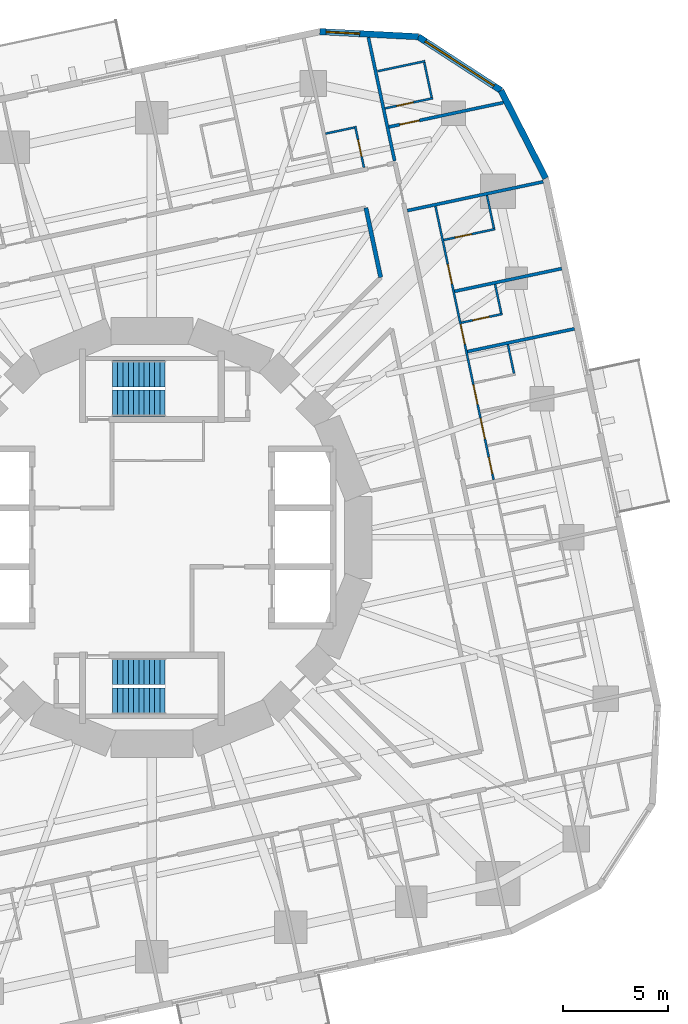
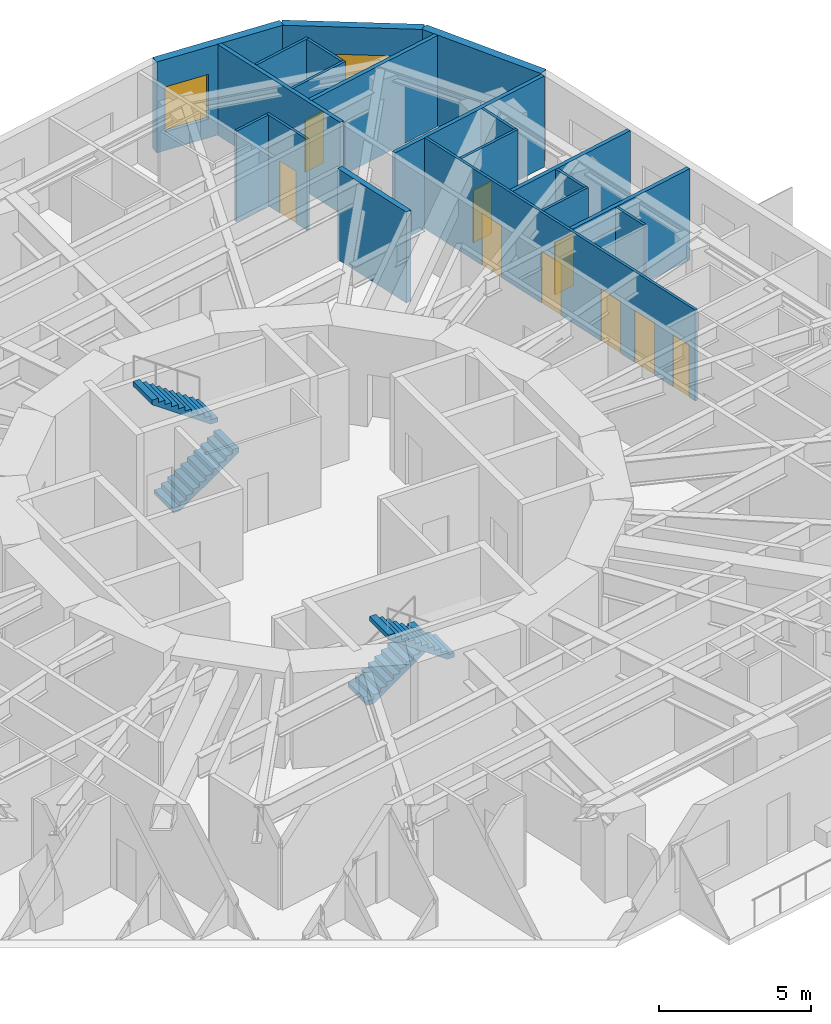
# One storey, part 11 of 13: 20 walls, 10 doors, 4 stair flights, 2 windows, 12 openings, 2 elements without a shape of their own.
"""IFC4 building model written with IfcOpenShell, lengths in metres."""

from ifc_helpers import new_model, si_unit, direction, frame, frame_2d, origin, place, context, subcontext, project, spatial, polyline, rectangle, outline, extrude, material, layer, layer_set, type_object, element, fill, aggregate, save


model = new_model("IFC4")

# Units and contexts
model_context = context("Model", 3, precision=1e-05, world=origin(), true_north=direction((0.0, 1.0)))
body_context = subcontext(model_context, "Body", "Model", "MODEL_VIEW")
ifc_project = project(units=[si_unit("LENGTHUNIT", "METRE"), si_unit("AREAUNIT", "SQUARE_METRE"), si_unit("VOLUMEUNIT", "CUBIC_METRE"), si_unit("PLANEANGLEUNIT", "RADIAN"), si_unit("MASSUNIT", "GRAM", prefix="KILO")], contexts=[model_context])

# Site, building, storey
site_placement = place(None, origin())
site = spatial("IfcSite", under=ifc_project, at=site_placement, CompositionType="ELEMENT")
building_placement = place(site_placement, origin())
building = spatial("IfcBuilding", under=site, at=building_placement, Name="Nakasero Lantern House", CompositionType="ELEMENT")
storey_placement = place(building_placement, frame((0.0, 0.0, 131.949951171875)))
storey = spatial("IfcBuildingStorey", under=building, at=storey_placement, Name="L32", CompositionType="ELEMENT", Elevation=131.949951171875)

# Wall, openings, doors
ifc_material_1 = material(Name="Blockwork", Category="masonry")
ifc_layer_1 = layer(ifc_material_1, 0.10009765625)
ifc_layer_set_1 = layer_set([ifc_layer_1], Name="Cluster hall wall 100")
wall_type_1 = type_object("IfcWallType", Name="Cluster hall wall 100", PredefinedType="PARTITIONING", material=ifc_layer_set_1)
wall_1_placement = place(storey_placement, frame((16.236328125, 2.734375, 0.0), z_axis=(0.0, 0.0, 1.0), x_axis=(-0.207922912411, 0.978145215443, 0.0)))
wall_1 = element("IfcWall", 1, at=wall_1_placement, inside=storey, type_object=wall_type_1, Name="Cluster hall wall L32 HW0-1", PredefinedType="PARTITIONING", context=body_context, shape_type="SweptSolid", body=[
    extrude(rectangle(XDim=13.28955078125, YDim=0.10009765625, at=frame_2d((6.644775390625, 0.0))), origin(), (0.0, 0.0, 1.0), 3.650146484375),
])
opening_1_placement = place(wall_1_placement, frame((1.99365234375, 0.0, 0.0)))
opening_1 = element("IfcOpeningElement", 2, at=opening_1_placement, cuts=wall_1, Name="Opening D03", PredefinedType="OPENING", context=body_context, shape_type="SweptSolid", body=[
    extrude(rectangle(XDim=1.0, YDim=2.10009765625, at=frame_2d((0.5, 1.050048828125))), frame((0.0, 0.070068359375, 0.0), z_axis=(0.0, -1.0, 0.0), x_axis=(1.0, 0.0, 0.0)), (0.0, 0.0, 1.0), 0.14013671875),
])
opening_2_placement = place(wall_1_placement, frame((0.300048828125, 0.0, 0.0)))
opening_2 = element("IfcOpeningElement", 3, at=opening_2_placement, cuts=wall_1, Name="Opening D02", PredefinedType="OPENING", context=body_context, shape_type="SweptSolid", body=[
    extrude(rectangle(XDim=0.800048828125, YDim=2.10009765625, at=frame_2d((0.39990234375, 1.050048828125))), frame((0.0, 0.070068359375, 0.0), z_axis=(0.0, -1.0, 0.0), x_axis=(1.0, 0.0, 0.0)), (0.0, 0.0, 1.0), 0.14013671875),
])
opening_3_placement = place(wall_1_placement, frame((3.668701171875, 0.0, 0.0)))
opening_3 = element("IfcOpeningElement", 4, at=opening_3_placement, cuts=wall_1, Name="Opening D01", PredefinedType="OPENING", context=body_context, shape_type="SweptSolid", body=[
    extrude(rectangle(XDim=0.949951171875, YDim=2.10009765625, at=frame_2d((0.47509765625, 1.050048828125))), frame((0.0, 0.070068359375, 0.0), z_axis=(0.0, -1.0, 0.0), x_axis=(1.0, 0.0, 0.0)), (0.0, 0.0, 1.0), 0.14013671875),
])
opening_4_placement = place(wall_1_placement, frame((6.594970703125, 0.0, 0.0)))
opening_4 = element("IfcOpeningElement", 5, at=opening_4_placement, cuts=wall_1, Name="Opening D01", PredefinedType="OPENING", context=body_context, shape_type="SweptSolid", body=[
    extrude(rectangle(XDim=0.949951171875, YDim=2.10009765625, at=frame_2d((0.47509765625, 1.050048828125))), frame((0.0, 0.070068359375, 0.0), z_axis=(0.0, -1.0, 0.0), x_axis=(1.0, 0.0, 0.0)), (0.0, 0.0, 1.0), 0.14013671875),
])
opening_5_placement = place(wall_1_placement, frame((9.521484375, 0.0, 0.0)))
opening_5 = element("IfcOpeningElement", 6, at=opening_5_placement, cuts=wall_1, Name="Opening D01", PredefinedType="OPENING", context=body_context, shape_type="SweptSolid", body=[
    extrude(rectangle(XDim=0.949951171875, YDim=2.10009765625, at=frame_2d((0.47509765625, 1.050048828125))), frame((0.0, 0.070068359375, 0.0), z_axis=(0.0, -1.0, 0.0), x_axis=(1.0, 0.0, 0.0)), (0.0, 0.0, 1.0), 0.14013671875),
])
ifc_material_2 = material(Name="Timber C24", Category="wood")
door_type_1 = type_object("IfcDoorType", Name="Bedroom door FD30S 950", OperationType="SINGLE_SWING_LEFT", PredefinedType="DOOR", material=ifc_material_2)
door_1_placement = place(opening_3_placement, origin())
door_1 = element("IfcDoor", 7, at=door_1_placement, inside=storey, type_object=door_type_1, Name="Door L32 D0-05", OperationType="SINGLE_SWING_LEFT", OverallHeight=2.10009765625, OverallWidth=0.949951171875, PredefinedType="DOOR", context=body_context, shape_type="SweptSolid", body=[
    extrude(rectangle(XDim=0.949951171875, YDim=2.10009765625, at=frame_2d((0.47509765625, 1.050048828125))), frame((0.0, 0.02490234375, 0.0), z_axis=(0.0, -1.0, 0.0), x_axis=(1.0, 0.0, 0.0)), (0.0, 0.0, 1.0), 0.050048828125),
])
fill(opening_3, door_1)
door_2_placement = place(opening_4_placement, origin())
door_2 = element("IfcDoor", 8, at=door_2_placement, inside=storey, type_object=door_type_1, Name="Door L32 D0-06", OperationType="SINGLE_SWING_RIGHT", OverallHeight=2.10009765625, OverallWidth=0.949951171875, PredefinedType="DOOR", context=body_context, shape_type="SweptSolid", body=[
    extrude(rectangle(XDim=0.949951171875, YDim=2.10009765625, at=frame_2d((0.47509765625, 1.050048828125))), frame((0.0, 0.02490234375, 0.0), z_axis=(0.0, -1.0, 0.0), x_axis=(1.0, 0.0, 0.0)), (0.0, 0.0, 1.0), 0.050048828125),
])
fill(opening_4, door_2)
door_3_placement = place(opening_5_placement, origin())
door_3 = element("IfcDoor", 9, at=door_3_placement, inside=storey, type_object=door_type_1, Name="Door L32 D0-07", OperationType="SINGLE_SWING_RIGHT", OverallHeight=2.10009765625, OverallWidth=0.949951171875, PredefinedType="DOOR", context=body_context, shape_type="SweptSolid", body=[
    extrude(rectangle(XDim=0.949951171875, YDim=2.10009765625, at=frame_2d((0.47509765625, 1.050048828125))), frame((0.0, 0.02490234375, 0.0), z_axis=(0.0, -1.0, 0.0), x_axis=(1.0, 0.0, 0.0)), (0.0, 0.0, 1.0), 0.050048828125),
])
fill(opening_5, door_3)
ifc_material_3 = material(Name="Timber C24", Category="wood")
door_type_2 = type_object("IfcDoorType", Name="En-suite door 800", OperationType="SINGLE_SWING_RIGHT", PredefinedType="DOOR", material=ifc_material_3)
door_4_placement = place(opening_2_placement, origin())
door_4 = element("IfcDoor", 10, at=door_4_placement, inside=storey, type_object=door_type_2, Name="Door L32 DSH0-1", OperationType="SINGLE_SWING_LEFT", OverallHeight=2.10009765625, OverallWidth=0.800048828125, PredefinedType="DOOR", context=body_context, shape_type="SweptSolid", body=[
    extrude(rectangle(XDim=0.800048828125, YDim=2.10009765625, at=frame_2d((0.39990234375, 1.050048828125))), frame((0.0, 0.02490234375, 0.0), z_axis=(0.0, -1.0, 0.0), x_axis=(1.0, 0.0, 0.0)), (0.0, 0.0, 1.0), 0.050048828125),
])
fill(opening_2, door_4)
ifc_material_4 = material(Name="Timber C24", Category="wood")
door_type_3 = type_object("IfcDoorType", Name="Lounge door FD30S 1000", OperationType="SINGLE_SWING_LEFT", PredefinedType="DOOR", material=ifc_material_4)
door_5_placement = place(opening_1_placement, origin())
door_5 = element("IfcDoor", 11, at=door_5_placement, inside=storey, type_object=door_type_3, Name="Door L32 DH0-1", OperationType="SINGLE_SWING_LEFT", OverallHeight=2.10009765625, OverallWidth=1.0, PredefinedType="DOOR", context=body_context, shape_type="SweptSolid", body=[
    extrude(rectangle(XDim=1.0, YDim=2.10009765625, at=frame_2d((0.5, 1.050048828125))), frame((0.0, 0.02490234375, 0.0), z_axis=(0.0, -1.0, 0.0), x_axis=(1.0, 0.0, 0.0)), (0.0, 0.0, 1.0), 0.050048828125),
])
fill(opening_1, door_5)

# Walls
ifc_material_5 = material(Name="Blockwork", Category="masonry")
ifc_layer_2 = layer(ifc_material_5, 0.199951171875)
ifc_layer_set_2 = layer_set([ifc_layer_2], Name="Corridor wall 200")
wall_type_2 = type_object("IfcWallType", Name="Corridor wall 200", PredefinedType="PARTITIONING", material=ifc_layer_set_2)
wall_2_placement = place(storey_placement, frame((10.868896484375, 12.35400390625, 0.0), z_axis=(0.0, 0.0, 1.0), x_axis=(-0.207923627178, 0.978145063506, 0.0)))
element("IfcWall", 12, at=wall_2_placement, inside=storey, type_object=wall_type_2, Name="Corridor wall L32 IW0-1", PredefinedType="PARTITIONING", context=body_context, shape_type="SweptSolid", body=[
    extrude(rectangle(XDim=3.375732421875, YDim=0.199951171875, at=frame_2d((1.68798828125, 0.0))), origin(), (0.0, 0.0, 1.0), 3.650146484375),
])
ifc_material_6 = material(Name="Blockwork", Category="masonry")
ifc_layer_3 = layer(ifc_material_6, 0.10009765625)
ifc_layer_set_3 = layer_set([ifc_layer_3], Name="En-suite wall 100")
wall_type_3 = type_object("IfcWallType", Name="En-suite wall 100", PredefinedType="PARTITIONING", material=ifc_layer_set_3)
wall_3_placement = place(storey_placement, frame((17.2060546875, 7.79150390625, 0.0), z_axis=(0.0, 0.0, 1.0), x_axis=(-0.207873355681, 0.978155748334, 0.0)))
element("IfcWall", 13, at=wall_3_placement, inside=storey, type_object=wall_type_3, Name="En-suite wall L32 EE0-05", PredefinedType="PARTITIONING", context=body_context, shape_type="SweptSolid", body=[
    extrude(rectangle(XDim=1.39990234375, YDim=0.10009765625, at=frame_2d((0.699951171875, 0.0))), origin(), (0.0, 0.0, 1.0), 3.650146484375),
])

# Wall, opening, door
wall_4_placement = place(storey_placement, frame((14.70068359375, 10.19970703125, 0.0), z_axis=(0.0, 0.0, 1.0), x_axis=(0.978152955943, 0.207886494942, 0.0)))
wall_4 = element("IfcWall", 14, at=wall_4_placement, inside=storey, type_object=wall_type_3, Name="En-suite wall L32 ES0-06", PredefinedType="PARTITIONING", context=body_context, shape_type="SweptSolid", body=[
    extrude(rectangle(XDim=2.0, YDim=0.10009765625, at=frame_2d((1.0, 0.0))), origin(), (0.0, 0.0, 1.0), 3.650146484375),
])
opening_6_placement = place(wall_4_placement, frame((0.550048828125, 0.0, 0.0)))
opening_6 = element("IfcOpeningElement", 15, at=opening_6_placement, cuts=wall_4, Name="Opening D02", PredefinedType="OPENING", context=body_context, shape_type="SweptSolid", body=[
    extrude(rectangle(XDim=0.800048828125, YDim=2.10009765625, at=frame_2d((0.39990234375, 1.050048828125))), frame((0.0, 0.070068359375, 0.0), z_axis=(0.0, -1.0, 0.0), x_axis=(1.0, 0.0, 0.0)), (0.0, 0.0, 1.0), 0.14013671875),
])
door_6_placement = place(opening_6_placement, origin())
door_6 = element("IfcDoor", 16, at=door_6_placement, inside=storey, type_object=door_type_2, Name="Door L32 DE0-06", OperationType="SINGLE_SWING_LEFT", OverallHeight=2.10009765625, OverallWidth=0.800048828125, PredefinedType="DOOR", context=body_context, shape_type="SweptSolid", body=[
    extrude(rectangle(XDim=0.800048828125, YDim=2.10009765625, at=frame_2d((0.39990234375, 1.050048828125))), frame((0.0, 0.02490234375, 0.0), z_axis=(0.0, -1.0, 0.0), x_axis=(1.0, 0.0, 0.0)), (0.0, 0.0, 1.0), 0.050048828125),
])
fill(opening_6, door_6)

# Wall
wall_5_placement = place(storey_placement, frame((16.59765625, 10.654052734375, 0.0), z_axis=(0.0, 0.0, 1.0), x_axis=(-0.207873355681, 0.978155748334, 0.0)))
element("IfcWall", 17, at=wall_5_placement, inside=storey, type_object=wall_type_3, Name="En-suite wall L32 EE0-06", PredefinedType="PARTITIONING", context=body_context, shape_type="SweptSolid", body=[
    extrude(rectangle(XDim=1.39990234375, YDim=0.10009765625, at=frame_2d((0.699951171875, 0.0))), origin(), (0.0, 0.0, 1.0), 3.650146484375),
])

# Wall, opening, door
wall_6_placement = place(storey_placement, frame((13.865234375, 14.1298828125, 0.0), z_axis=(0.0, 0.0, 1.0), x_axis=(0.978146935828, 0.207914818928, 0.0)))
wall_6 = element("IfcWall", 18, at=wall_6_placement, inside=storey, type_object=wall_type_3, Name="En-suite wall L32 ES0-07", PredefinedType="PARTITIONING", context=body_context, shape_type="SweptSolid", body=[
    extrude(rectangle(XDim=2.5, YDim=0.10009765625, at=frame_2d((1.25, 0.0))), origin(), (0.0, 0.0, 1.0), 3.650146484375),
])
opening_7_placement = place(wall_6_placement, frame((0.550048828125, 0.0, 0.0)))
opening_7 = element("IfcOpeningElement", 19, at=opening_7_placement, cuts=wall_6, Name="Opening D02", PredefinedType="OPENING", context=body_context, shape_type="SweptSolid", body=[
    extrude(rectangle(XDim=0.800048828125, YDim=2.10009765625, at=frame_2d((0.39990234375, 1.050048828125))), frame((0.0, 0.070068359375, 0.0), z_axis=(0.0, -1.0, 0.0), x_axis=(1.0, 0.0, 0.0)), (0.0, 0.0, 1.0), 0.14013671875),
])
door_7_placement = place(opening_7_placement, origin())
door_7 = element("IfcDoor", 20, at=door_7_placement, inside=storey, type_object=door_type_2, Name="Door L32 DE0-07", OperationType="SINGLE_SWING_LEFT", OverallHeight=2.10009765625, OverallWidth=0.800048828125, PredefinedType="DOOR", context=body_context, shape_type="SweptSolid", body=[
    extrude(rectangle(XDim=0.800048828125, YDim=2.10009765625, at=frame_2d((0.39990234375, 1.050048828125))), frame((0.0, 0.02490234375, 0.0), z_axis=(0.0, -1.0, 0.0), x_axis=(1.0, 0.0, 0.0)), (0.0, 0.0, 1.0), 0.050048828125),
])
fill(opening_7, door_7)

# Wall
wall_7_placement = place(storey_placement, frame((16.251220703125, 14.688232421875, 0.0), z_axis=(0.0, 0.0, 1.0), x_axis=(-0.207840504985, 0.978162729042, 0.0)))
element("IfcWall", 21, at=wall_7_placement, inside=storey, type_object=wall_type_3, Name="En-suite wall L32 EE0-07", PredefinedType="PARTITIONING", context=body_context, shape_type="SweptSolid", body=[
    extrude(rectangle(XDim=1.599853515625, YDim=0.10009765625, at=frame_2d((0.7998046875, 0.0))), origin(), (0.0, 0.0, 1.0), 3.650146484375),
])

# Wall, opening, door
wall_8_placement = place(storey_placement, frame((11.069091796875, 20.382568359375, 0.0), z_axis=(0.0, 0.0, 1.0), x_axis=(0.978136257952, 0.207965047255, 0.0)))
wall_8 = element("IfcWall", 22, at=wall_8_placement, inside=storey, type_object=wall_type_3, Name="En-suite wall L32 ES0-08", PredefinedType="PARTITIONING", context=body_context, shape_type="SweptSolid", body=[
    extrude(rectangle(XDim=2.3349609375, YDim=0.10009765625, at=frame_2d((1.16748046875, 0.0))), origin(), (0.0, 0.0, 1.0), 3.650146484375),
])
opening_8_placement = place(wall_8_placement, frame((0.5849609375, 0.0, 0.0)))
opening_8 = element("IfcOpeningElement", 23, at=opening_8_placement, cuts=wall_8, Name="Opening D02", PredefinedType="OPENING", context=body_context, shape_type="SweptSolid", body=[
    extrude(rectangle(XDim=0.800048828125, YDim=2.10009765625, at=frame_2d((0.39990234375, 1.050048828125))), frame((0.0, 0.070068359375, 0.0), z_axis=(0.0, -1.0, 0.0), x_axis=(1.0, 0.0, 0.0)), (0.0, 0.0, 1.0), 0.14013671875),
])
door_8_placement = place(opening_8_placement, origin())
door_8 = element("IfcDoor", 24, at=door_8_placement, inside=storey, type_object=door_type_2, Name="Door L32 DE0-08", OperationType="SINGLE_SWING_LEFT", OverallHeight=2.10009765625, OverallWidth=0.800048828125, PredefinedType="DOOR", context=body_context, shape_type="SweptSolid", body=[
    extrude(rectangle(XDim=0.800048828125, YDim=2.10009765625, at=frame_2d((0.39990234375, 1.050048828125))), frame((0.0, 0.02490234375, 0.0), z_axis=(0.0, -1.0, 0.0), x_axis=(1.0, 0.0, 0.0)), (0.0, 0.0, 1.0), 0.050048828125),
])
fill(opening_8, door_8)

# Walls
wall_9_placement = place(storey_placement, frame((13.293701171875, 20.906494140625, 0.0), z_axis=(0.0, 0.0, 1.0), x_axis=(-0.207812379357, 0.978168704767, 0.0)))
element("IfcWall", 25, at=wall_9_placement, inside=storey, type_object=wall_type_3, Name="En-suite wall L32 EE0-08", PredefinedType="PARTITIONING", context=body_context, shape_type="SweptSolid", body=[
    extrude(rectangle(XDim=1.699951171875, YDim=0.10009765625, at=frame_2d((0.85009765625, 0.0))), origin(), (0.0, 0.0, 1.0), 3.650146484375),
])
wall_10_placement = place(storey_placement, frame((10.72900390625, 22.150634765625, 0.0), z_axis=(0.0, 0.0, 1.0), x_axis=(0.978162897375, 0.207839712757, 0.0)))
element("IfcWall", 26, at=wall_10_placement, inside=storey, type_object=wall_type_3, Name="En-suite wall L32 EV0-08", PredefinedType="PARTITIONING", context=body_context, shape_type="SweptSolid", body=[
    extrude(rectangle(XDim=2.300048828125, YDim=0.10009765625, at=frame_2d((1.14990234375, 0.0))), origin(), (0.0, 0.0, 1.0), 3.650146484375),
])

# Wall, opening, door
wall_11_placement = place(storey_placement, frame((10.07421875, 17.57861328125, 0.0), z_axis=(0.0, 0.0, 1.0), x_axis=(-0.207886494942, 0.978152955943, 0.0)))
wall_11 = element("IfcWall", 27, at=wall_11_placement, inside=storey, type_object=wall_type_3, Name="En-suite wall L32 ES1-00", PredefinedType="PARTITIONING", context=body_context, shape_type="SweptSolid", body=[
    extrude(rectangle(XDim=2.0, YDim=0.10009765625, at=frame_2d((1.0, 0.0))), origin(), (0.0, 0.0, 1.0), 3.650146484375),
])
opening_9_placement = place(wall_11_placement, frame((0.550048828125, 0.0, 0.0)))
opening_9 = element("IfcOpeningElement", 28, at=opening_9_placement, cuts=wall_11, Name="Opening D02", PredefinedType="OPENING", context=body_context, shape_type="SweptSolid", body=[
    extrude(rectangle(XDim=0.800048828125, YDim=2.10009765625, at=frame_2d((0.39990234375, 1.050048828125))), frame((0.0, 0.070068359375, 0.0), z_axis=(0.0, -1.0, 0.0), x_axis=(1.0, 0.0, 0.0)), (0.0, 0.0, 1.0), 0.14013671875),
])
door_9_placement = place(opening_9_placement, origin())
door_9 = element("IfcDoor", 29, at=door_9_placement, inside=storey, type_object=door_type_2, Name="Door L32 DE1-00", OperationType="SINGLE_SWING_LEFT", OverallHeight=2.10009765625, OverallWidth=0.800048828125, PredefinedType="DOOR", context=body_context, shape_type="SweptSolid", body=[
    extrude(rectangle(XDim=0.800048828125, YDim=2.10009765625, at=frame_2d((0.39990234375, 1.050048828125))), frame((0.0, 0.02490234375, 0.0), z_axis=(0.0, -1.0, 0.0), x_axis=(1.0, 0.0, 0.0)), (0.0, 0.0, 1.0), 0.050048828125),
])
fill(opening_9, door_9)

# Walls
wall_12_placement = place(storey_placement, frame((9.619873046875, 19.4755859375, 0.0), z_axis=(0.0, 0.0, 1.0), x_axis=(-0.978155748334, -0.207873355681, 0.0)))
element("IfcWall", 30, at=wall_12_placement, inside=storey, type_object=wall_type_3, Name="En-suite wall L32 EE1-00", PredefinedType="PARTITIONING", context=body_context, shape_type="SweptSolid", body=[
    extrude(rectangle(XDim=1.39990234375, YDim=0.10009765625, at=frame_2d((0.699951171875, 0.0))), origin(), (0.0, 0.0, 1.0), 3.650146484375),
])
ifc_material_7 = material(Name="Aluminium rainscreen on blockwork", Category="masonry")
ifc_layer_4 = layer(ifc_material_7, 0.300048828125)
ifc_layer_set_4 = layer_set([ifc_layer_4], Name="Facade wall 300")
wall_type_4 = type_object("IfcWallType", Name="Facade wall 300", PredefinedType="SOLIDWALL", material=ifc_layer_set_4)
wall_13_placement = place(storey_placement, frame((18.711181640625, 17.063232421875, 0.0), z_axis=(0.0, 0.0, 1.0), x_axis=(-0.453975745332, 0.89101404178, 0.0)))
element("IfcWall", 31, at=wall_13_placement, inside=storey, type_object=wall_type_4, Name="Facade wall L32 FW0C1", PredefinedType="SOLIDWALL", context=body_context, shape_type="SweptSolid", body=[
    extrude(rectangle(XDim=4.6845703125, YDim=0.300048828125, at=frame_2d((2.34228515625, 0.0))), origin(), (0.0, 0.0, 1.0), 3.650146484375),
])

# Wall, opening, window
wall_14_placement = place(storey_placement, frame((16.58447265625, 21.2373046875, 0.0), z_axis=(0.0, 0.0, 1.0), x_axis=(-0.838692381994, 0.544605442853, 0.0)))
wall_14 = element("IfcWall", 32, at=wall_14_placement, inside=storey, type_object=wall_type_4, Name="Facade wall L32 FW0C2", PredefinedType="SOLIDWALL", context=body_context, shape_type="SweptSolid", body=[
    extrude(rectangle(XDim=4.6845703125, YDim=0.300048828125, at=frame_2d((2.34228515625, 0.0))), origin(), (0.0, 0.0, 1.0), 3.650146484375),
])
opening_10_placement = place(wall_14_placement, frame((0.39990234375, 0.0, 0.75)))
opening_10 = element("IfcOpeningElement", 33, at=opening_10_placement, cuts=wall_14, Name="Opening W238", PredefinedType="OPENING", context=body_context, shape_type="SweptSolid", body=[
    extrude(rectangle(XDim=3.885009765625, YDim=1.800048828125, at=frame_2d((1.9423828125, 0.89990234375))), frame((0.0, 0.169921875, 0.0), z_axis=(0.0, -1.0, 0.0), x_axis=(1.0, 0.0, 0.0)), (0.0, 0.0, 1.0), 0.340087890625),
])
ifc_material_8 = material(Name="Aluminium 6063-T6 and glass", Category="aluminium")
window_type_1 = type_object("IfcWindowType", Name="Corner window 3885x1800", PartitioningType="SINGLE_PANEL", PredefinedType="WINDOW", material=ifc_material_8)
window_1_placement = place(opening_10_placement, origin())
window_1 = element("IfcWindow", 34, at=window_1_placement, inside=storey, type_object=window_type_1, Name="Window L32 WC0", OverallHeight=1.800048828125, OverallWidth=3.885009765625, PartitioningType="SINGLE_PANEL", PredefinedType="WINDOW", context=body_context, shape_type="SweptSolid", body=[
    extrude(rectangle(XDim=3.885009765625, YDim=1.800048828125, at=frame_2d((1.9423828125, 0.89990234375))), frame((0.0, 0.030029296875, 0.0), z_axis=(0.0, -1.0, 0.0), x_axis=(1.0, 0.0, 0.0)), (0.0, 0.0, 1.0), 0.06005859375),
])
fill(opening_10, window_1)

wall_15_placement = place(storey_placement, frame((12.655517578125, 23.78857421875, 0.0), z_axis=(0.0, 0.0, 1.0), x_axis=(-0.998630039879, 0.052326317, 0.0)))
wall_15 = element("IfcWall", 35, at=wall_15_placement, inside=storey, type_object=wall_type_4, Name="Facade wall L32 FW0C3", PredefinedType="SOLIDWALL", context=body_context, shape_type="SweptSolid", body=[
    extrude(rectangle(XDim=4.684326171875, YDim=0.300048828125, at=frame_2d((2.34228515625, 0.0))), origin(), (0.0, 0.0, 1.0), 3.650146484375),
])
opening_11_placement = place(wall_15_placement, frame((2.784912109375, 0.0, 0.75)))
opening_11 = element("IfcOpeningElement", 36, at=opening_11_placement, cuts=wall_15, Name="Opening W01", PredefinedType="OPENING", context=body_context, shape_type="SweptSolid", body=[
    extrude(rectangle(XDim=1.60009765625, YDim=1.800048828125, at=frame_2d((0.800048828125, 0.89990234375))), frame((0.0, 0.169921875, 0.0), z_axis=(0.0, -1.0, 0.0), x_axis=(1.0, 0.0, 0.0)), (0.0, 0.0, 1.0), 0.340087890625),
])
ifc_material_9 = material(Name="Aluminium 6063-T6 and glass", Category="aluminium")
window_type_2 = type_object("IfcWindowType", Name="Bedroom window 1600x1800", PartitioningType="SINGLE_PANEL", PredefinedType="WINDOW", material=ifc_material_9)
window_2_placement = place(opening_11_placement, origin())
window_2 = element("IfcWindow", 37, at=window_2_placement, inside=storey, type_object=window_type_2, Name="Window L32 WN1-00", OverallHeight=1.800048828125, OverallWidth=1.60009765625, PartitioningType="SINGLE_PANEL", PredefinedType="WINDOW", context=body_context, shape_type="SweptSolid", body=[
    extrude(rectangle(XDim=1.60009765625, YDim=1.800048828125, at=frame_2d((0.800048828125, 0.89990234375))), frame((0.0, 0.030029296875, 0.0), z_axis=(0.0, -1.0, 0.0), x_axis=(1.0, 0.0, 0.0)), (0.0, 0.0, 1.0), 0.06005859375),
])
fill(opening_11, window_2)

# Walls
ifc_material_10 = material(Name="Blockwork", Category="masonry")
ifc_layer_5 = layer(ifc_material_10, 0.14990234375)
ifc_layer_set_5 = layer_set([ifc_layer_5], Name="Party wall 150")
wall_type_5 = type_object("IfcWallType", Name="Party wall 150", PredefinedType="PARTITIONING", material=ifc_layer_set_5)
for number, where, z_axis, x_axis, name in (
    (38, (14.991943359375, 8.828857421875, 0.0), (0.0, 0.0, 1.0), (0.978151452323, 0.207893569688, 0.0), "Party wall L32 PW0-06"),
    (39, (14.383544921875, 11.69140625, 0.0), (0.0, 0.0, 1.0), (0.978151452323, 0.207893569688, 0.0), "Party wall L32 PW0-07"),
):
    element("IfcWall", number, at=place(storey_placement, frame(where, z_axis=z_axis, x_axis=x_axis)), inside=storey, type_object=wall_type_5, Name=name, PredefinedType="PARTITIONING", context=body_context, shape_type="SweptSolid", body=[
        extrude(rectangle(XDim=5.199951171875, YDim=0.14990234375, at=frame_2d((2.60009765625, 0.0))), origin(), (0.0, 0.0, 1.0), 3.650146484375),
    ])
wall_16_placement = place(storey_placement, frame((12.13720703125, 15.526123046875, 0.0), z_axis=(0.0, 0.0, 1.0), x_axis=(0.978144841009, 0.207924673876, 0.0)))
element("IfcWall", 40, at=wall_16_placement, inside=storey, type_object=wall_type_5, Name="Party wall L32 PW0-08", PredefinedType="PARTITIONING", context=body_context, shape_type="SweptSolid", body=[
    extrude(rectangle(XDim=6.60009765625, YDim=0.14990234375, at=frame_2d((3.300048828125, 0.0))), origin(), (0.0, 0.0, 1.0), 3.650146484375),
])

# Wall, opening, door
wall_17_placement = place(storey_placement, frame((11.256103515625, 19.502197265625, 0.0), z_axis=(0.0, 0.0, 1.0), x_axis=(0.978142361087, 0.207936339891, 0.0)))
wall_17 = element("IfcWall", 41, at=wall_17_placement, inside=storey, type_object=wall_type_5, Name="Party wall L32 PC0", PredefinedType="PARTITIONING", context=body_context, shape_type="SweptSolid", body=[
    extrude(rectangle(XDim=5.570068359375, YDim=0.14990234375, at=frame_2d((2.78515625, 0.0))), origin(), (0.0, 0.0, 1.0), 3.650146484375),
])
opening_12_placement = place(wall_17_placement, frame((0.534912109375, 0.0, 0.0)))
opening_12 = element("IfcOpeningElement", 42, at=opening_12_placement, cuts=wall_17, Name="Opening D01", PredefinedType="OPENING", context=body_context, shape_type="SweptSolid", body=[
    extrude(rectangle(XDim=0.949951171875, YDim=2.10009765625, at=frame_2d((0.47509765625, 1.050048828125))), frame((0.0, 0.094970703125, 0.0), z_axis=(0.0, -1.0, 0.0), x_axis=(1.0, 0.0, 0.0)), (0.0, 0.0, 1.0), 0.18994140625),
])
door_10_placement = place(opening_12_placement, origin())
door_10 = element("IfcDoor", 43, at=door_10_placement, inside=storey, type_object=door_type_1, Name="Door L32 DC0", OperationType="SINGLE_SWING_LEFT", OverallHeight=2.10009765625, OverallWidth=0.949951171875, PredefinedType="DOOR", context=body_context, shape_type="SweptSolid", body=[
    extrude(rectangle(XDim=0.949951171875, YDim=2.10009765625, at=frame_2d((0.47509765625, 1.050048828125))), frame((0.0, 0.02490234375, 0.0), z_axis=(0.0, -1.0, 0.0), x_axis=(1.0, 0.0, 0.0)), (0.0, 0.0, 1.0), 0.050048828125),
])
fill(opening_12, door_10)

# Wall
wall_18_placement = place(storey_placement, frame((11.53271484375, 17.888671875, 0.0), z_axis=(0.0, 0.0, 1.0), x_axis=(-0.207886494942, 0.978152955943, 0.0)))
element("IfcWall", 44, at=wall_18_placement, inside=storey, type_object=wall_type_5, Name="Party wall L32 PW1-00", PredefinedType="PARTITIONING", context=body_context, shape_type="SweptSolid", body=[
    extrude(rectangle(XDim=6.0, YDim=0.14990234375, at=frame_2d((3.0, 0.0))), origin(), (0.0, 0.0, 1.0), 3.650146484375),
])

# Stair, stair flights
ifc_material_11 = material(Name="Concrete C40/50", Category="concrete")
stair_type_1 = type_object("IfcStairType", Name="Escape stair ST1 22 risers", PredefinedType="HALF_TURN_STAIR", material=ifc_material_11)
stair_1_placement = place(storey_placement, origin())
stair_1 = element("IfcStair", 45, at=stair_1_placement, inside=storey, type_object=stair_type_1, Name="Escape stair ST1 L32", PredefinedType="HALF_TURN_STAIR")
ifc_material_12 = material(Name="Concrete C40/50", Category="concrete")
stair_flight_type = type_object("IfcStairFlightType", Name="Escape stair flight", PredefinedType="STRAIGHT", material=ifc_material_12)
stair_flight_1_placement = place(storey_placement, frame((-1.875, 6.375, 0.0), z_axis=(0.0, 0.0, 1.0), x_axis=(1.0, 0.0, 0.0)))
stair_flight_1 = element("IfcStairFlight", 46, at=stair_flight_1_placement, type_object=stair_flight_type, Name="ST1 flight 1", NumberOfRisers=11, NumberOfTreads=10, PredefinedType="STRAIGHT", RiserHeight=0.175, TreadLength=0.25, context=body_context, shape_type="SweptSolid", body=[
    extrude(outline(polyline([(0.0, 0.0), (0.0, 0.175048828125), (0.25, 0.175048828125), (0.25, 0.35009765625), (0.5, 0.35009765625), (0.5, 0.52490234375), (0.75, 0.52490234375), (0.75, 0.699951171875), (1.0, 0.699951171875), (1.0, 0.875), (1.25, 0.875), (1.25, 1.050048828125), (1.5, 1.050048828125), (1.5, 1.22509765625), (1.75, 1.22509765625), (1.75, 1.39990234375), (2.0, 1.39990234375), (2.0, 1.574951171875), (2.25, 1.574951171875), (2.25, 1.75), (2.5, 1.75), (2.5, 1.925048828125), (2.5, 1.567138671875), (0.261474609375, 0.0), (0.0, 0.0)])), frame((0.0, 0.625, 0.0), z_axis=(0.0, -1.0, 0.0), x_axis=(1.0, 0.0, 0.0)), (0.0, 0.0, 1.0), 1.25),
])
stair_flight_2_placement = place(storey_placement, frame((0.625, 7.77490234375, 1.925048828125), z_axis=(0.0, 0.0, 1.0), x_axis=(-1.0, 0.0, 0.0)))
stair_flight_2 = element("IfcStairFlight", 47, at=stair_flight_2_placement, type_object=stair_flight_type, Name="ST1 flight 2", NumberOfRisers=11, NumberOfTreads=10, PredefinedType="STRAIGHT", RiserHeight=0.175, TreadLength=0.25, context=body_context, shape_type="SweptSolid", body=[
    extrude(outline(polyline([(0.0, 0.0), (0.0, 0.175048828125), (0.25, 0.175048828125), (0.25, 0.35009765625), (0.5, 0.35009765625), (0.5, 0.52490234375), (0.75, 0.52490234375), (0.75, 0.699951171875), (1.0, 0.699951171875), (1.0, 0.875), (1.25, 0.875), (1.25, 1.050048828125), (1.5, 1.050048828125), (1.5, 1.22509765625), (1.75, 1.22509765625), (1.75, 1.39990234375), (2.0, 1.39990234375), (2.0, 1.574951171875), (2.25, 1.574951171875), (2.25, 1.75), (2.5, 1.75), (2.5, 1.925048828125), (2.5, 1.567138671875), (0.261474609375, 0.0), (0.0, 0.0)])), frame((0.0, 0.625, 0.0), z_axis=(0.0, -1.0, 0.0), x_axis=(1.0, 0.0, 0.0)), (0.0, 0.0, 1.0), 1.25),
])
aggregate(stair_1, [stair_flight_1, stair_flight_2])

ifc_material_13 = material(Name="Concrete C40/50", Category="concrete")
stair_type_2 = type_object("IfcStairType", Name="Escape stair ST2 22 risers", PredefinedType="HALF_TURN_STAIR", material=ifc_material_13)
stair_2_placement = place(storey_placement, origin())
stair_2 = element("IfcStair", 48, at=stair_2_placement, inside=storey, type_object=stair_type_2, Name="Escape stair ST2 L32", PredefinedType="HALF_TURN_STAIR")
stair_flight_3_placement = place(storey_placement, frame((-1.875, -6.375, 0.0), z_axis=(0.0, 0.0, 1.0), x_axis=(1.0, 0.0, 0.0)))
stair_flight_3 = element("IfcStairFlight", 49, at=stair_flight_3_placement, type_object=stair_flight_type, Name="ST2 flight 1", NumberOfRisers=11, NumberOfTreads=10, PredefinedType="STRAIGHT", RiserHeight=0.175, TreadLength=0.25, context=body_context, shape_type="SweptSolid", body=[
    extrude(outline(polyline([(0.0, 0.0), (0.0, 0.175048828125), (0.25, 0.175048828125), (0.25, 0.35009765625), (0.5, 0.35009765625), (0.5, 0.52490234375), (0.75, 0.52490234375), (0.75, 0.699951171875), (1.0, 0.699951171875), (1.0, 0.875), (1.25, 0.875), (1.25, 1.050048828125), (1.5, 1.050048828125), (1.5, 1.22509765625), (1.75, 1.22509765625), (1.75, 1.39990234375), (2.0, 1.39990234375), (2.0, 1.574951171875), (2.25, 1.574951171875), (2.25, 1.75), (2.5, 1.75), (2.5, 1.925048828125), (2.5, 1.567138671875), (0.261474609375, 0.0), (0.0, 0.0)])), frame((0.0, 0.625, 0.0), z_axis=(0.0, -1.0, 0.0), x_axis=(1.0, 0.0, 0.0)), (0.0, 0.0, 1.0), 1.25),
])
stair_flight_4_placement = place(storey_placement, frame((0.625, -7.77490234375, 1.925048828125), z_axis=(0.0, 0.0, 1.0), x_axis=(-1.0, 0.0, 0.0)))
stair_flight_4 = element("IfcStairFlight", 50, at=stair_flight_4_placement, type_object=stair_flight_type, Name="ST2 flight 2", NumberOfRisers=11, NumberOfTreads=10, PredefinedType="STRAIGHT", RiserHeight=0.175, TreadLength=0.25, context=body_context, shape_type="SweptSolid", body=[
    extrude(outline(polyline([(0.0, 0.0), (0.0, 0.175048828125), (0.25, 0.175048828125), (0.25, 0.35009765625), (0.5, 0.35009765625), (0.5, 0.52490234375), (0.75, 0.52490234375), (0.75, 0.699951171875), (1.0, 0.699951171875), (1.0, 0.875), (1.25, 0.875), (1.25, 1.050048828125), (1.5, 1.050048828125), (1.5, 1.22509765625), (1.75, 1.22509765625), (1.75, 1.39990234375), (2.0, 1.39990234375), (2.0, 1.574951171875), (2.25, 1.574951171875), (2.25, 1.75), (2.5, 1.75), (2.5, 1.925048828125), (2.5, 1.567138671875), (0.261474609375, 0.0), (0.0, 0.0)])), frame((0.0, 0.625, 0.0), z_axis=(0.0, -1.0, 0.0), x_axis=(1.0, 0.0, 0.0)), (0.0, 0.0, 1.0), 1.25),
])
aggregate(stair_2, [stair_flight_3, stair_flight_4])

save(model, "model.ifc")
